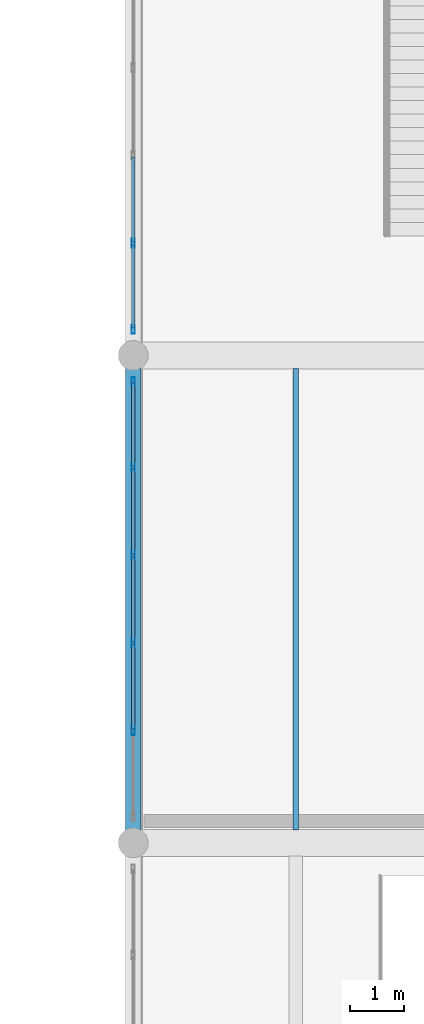
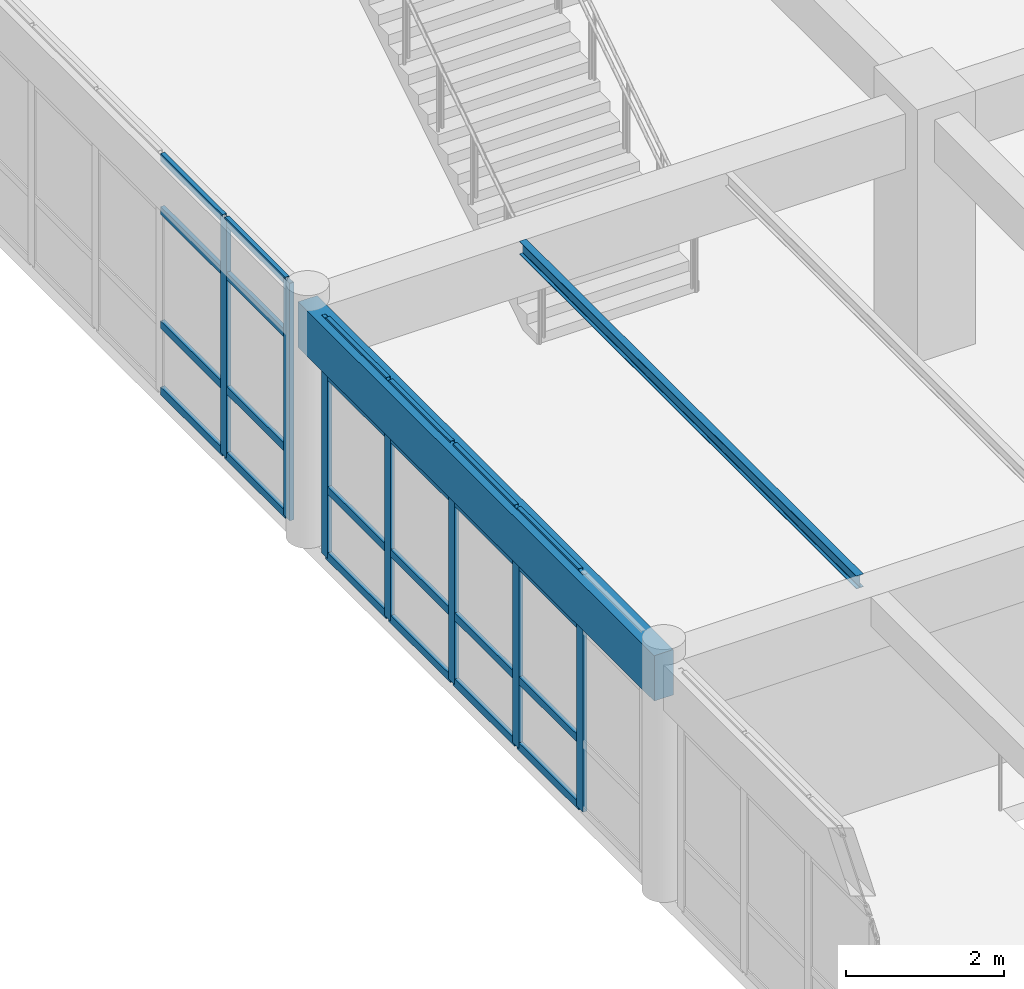
# One storey, part 39 of 156: 31 members, 2 beams, 2 elements without a shape of their own.
"""IFC4 building model written with IfcOpenShell, lengths in metres."""

from ifc_helpers import new_model, si_unit, direction, frame, origin, origin_2d, place, context, subcontext, project, spatial, rectangle, hollow_rectangle, i_section, extrude, material, layer, layer_set, material_profile, profile_set, type_object, element, aggregate, save


model = new_model("IFC4")

# Units and contexts
model_context = context("Model", 3, precision=1e-05, world=origin(), true_north=direction((0.0, 1.0)))
body_context = subcontext(model_context, "Body", "Model", "MODEL_VIEW")
ifc_project = project(units=[si_unit("LENGTHUNIT", "METRE"), si_unit("AREAUNIT", "SQUARE_METRE"), si_unit("VOLUMEUNIT", "CUBIC_METRE"), si_unit("PLANEANGLEUNIT", "RADIAN"), si_unit("MASSUNIT", "GRAM", prefix="KILO")], contexts=[model_context])

# Site, building, storey
site_placement = place(None, origin())
site = spatial("IfcSite", under=ifc_project, at=site_placement, CompositionType="ELEMENT")
building_placement = place(site_placement, origin())
building = spatial("IfcBuilding", under=site, at=building_placement, Name="Ornek Quay Market", CompositionType="ELEMENT")
storey_placement = place(building_placement, frame((0.0, 0.0, 4.5)))
storey = spatial("IfcBuildingStorey", under=building, at=storey_placement, Name="L01", CompositionType="ELEMENT", Elevation=4.5)

# Beams
ifc_material_1 = material(Name="Concrete C35/45", Category="concrete")
ifc_material_profile_1 = material_profile(ifc_material_1, rectangle(XDim=0.280029296875, YDim=0.699951171875, at=origin_2d()), Name="RC 280x700", Category="concrete")
ifc_profile_set_1 = profile_set([ifc_material_profile_1], Name="Concrete C35/45")
beam_type_1 = type_object("IfcBeamType", Name="BM-SPN-280x700", PredefinedType="SPANDREL", material=ifc_profile_set_1)
beam_1_placement = place(storey_placement, frame((108.0, 56.0, 3.31005859375), z_axis=(0.0, 1.0, 0.0), x_axis=(-1.0, 0.0, 0.0)))
element("IfcBeam", 1, at=beam_1_placement, inside=storey, type_object=beam_type_1, Name="Primary beam B-SP2-076", PredefinedType="SPANDREL", context=body_context, shape_type="SweptSolid", body=[
    extrude(rectangle(XDim=0.280029296875, YDim=0.699951171875, at=origin_2d()), origin(), (0.0, 0.0, 1.0), 9.0),
])
ifc_material_2 = material(Name="Steel S355", Category="steel")
ifc_material_profile_2 = material_profile(ifc_material_2, i_section(OverallWidth=0.10009765625, OverallDepth=0.199951171875, WebThickness=0.005615234375, FlangeThickness=0.008544921875, FilletRadius=0.011962890625, at=origin_2d()), Name="IPE 200", Category="steel")
ifc_profile_set_2 = profile_set([ifc_material_profile_2], Name="Steel S355")
beam_type_2 = type_object("IfcBeamType", Name="BM-STL-IPE200", PredefinedType="JOIST", material=ifc_profile_set_2)
beam_2_placement = place(storey_placement, frame((111.0, 56.241943359375, 3.56005859375), z_axis=(0.0, 1.0, 0.0), x_axis=(-1.0, 0.0, 0.0)))
element("IfcBeam", 2, at=beam_2_placement, inside=storey, type_object=beam_type_2, Name="Secondary joist SB-02-029", PredefinedType="JOIST", context=body_context, shape_type="SweptSolid", body=[
    extrude(i_section(OverallWidth=0.10009765625, OverallDepth=0.199951171875, WebThickness=0.005615234375, FlangeThickness=0.008544921875, FilletRadius=0.011962890625, at=origin_2d()), origin(), (0.0, 0.0, 1.0), 8.51611328125),
])

# Curtain wall, members
ifc_material_3 = material(Name="Anodised bronze aluminium and triple low-e glass", Category="aluminium")
ifc_layer = layer(ifc_material_3, 0.139892578125, Name="Anodised bronze aluminium and triple low-e glass", Category="aluminium")
ifc_layer_set = layer_set([ifc_layer], Name="Anodised bronze aluminium and triple low-e glass")
curtain_wall_type = type_object("IfcCurtainWallType", Name="CW-GALLERY-INT", PredefinedType="USERDEFINED", material=ifc_layer_set)
curtain_wall_1_placement = place(storey_placement, origin())
curtain_wall_1 = element("IfcCurtainWall", 3, at=curtain_wall_1_placement, inside=storey, type_object=curtain_wall_type, Name="Curtain wall CW-106", ObjectType="CURTAIN WALL", PredefinedType="USERDEFINED")
ifc_material_4 = material(Name="Anodised aluminium 6063-T6", Category="aluminium")
ifc_material_profile_3 = material_profile(ifc_material_4, hollow_rectangle(XDim=0.06005859375, YDim=0.159912109375, WallThickness=0.00390625, at=origin_2d()), Name="CW-MUL-60x160", Category="aluminium")
ifc_profile_set_3 = profile_set([ifc_material_profile_3], Name="Anodised aluminium 6063-T6")
member_type_1 = type_object("IfcMemberType", Name="CW-MUL-60x160", PredefinedType="MULLION", material=ifc_profile_set_3)
member_1_placement = place(storey_placement, frame((108.0, 58.070068359375, 0.0), z_axis=(0.0, 0.0, 1.0), x_axis=(-1.0, 0.0, 0.0)))
member_1 = element("IfcMember", 4, at=member_1_placement, type_object=member_type_1, Name="CW-106 mullion 2", PredefinedType="MULLION", context=body_context, shape_type="SweptSolid", body=[
    extrude(hollow_rectangle(XDim=0.06005859375, YDim=0.159912109375, WallThickness=0.00390625, at=origin_2d()), origin(), (0.0, 0.0, 1.0), 3.659912109375),
])
member_2_placement = place(storey_placement, frame((108.0, 59.68994140625, 0.0), z_axis=(0.0, 0.0, 1.0), x_axis=(-1.0, 0.0, 0.0)))
member_2 = element("IfcMember", 5, at=member_2_placement, type_object=member_type_1, Name="CW-106 mullion 3", PredefinedType="MULLION", context=body_context, shape_type="SweptSolid", body=[
    extrude(hollow_rectangle(XDim=0.06005859375, YDim=0.159912109375, WallThickness=0.00390625, at=origin_2d()), origin(), (0.0, 0.0, 1.0), 3.659912109375),
])
member_3_placement = place(storey_placement, frame((108.0, 61.31005859375, 0.0), z_axis=(0.0, 0.0, 1.0), x_axis=(-1.0, 0.0, 0.0)))
member_3 = element("IfcMember", 6, at=member_3_placement, type_object=member_type_1, Name="CW-106 mullion 4", PredefinedType="MULLION", context=body_context, shape_type="SweptSolid", body=[
    extrude(hollow_rectangle(XDim=0.06005859375, YDim=0.159912109375, WallThickness=0.00390625, at=origin_2d()), origin(), (0.0, 0.0, 1.0), 3.659912109375),
])
member_4_placement = place(storey_placement, frame((108.0, 62.929931640625, 0.0), z_axis=(0.0, 0.0, 1.0), x_axis=(-1.0, 0.0, 0.0)))
member_4 = element("IfcMember", 7, at=member_4_placement, type_object=member_type_1, Name="CW-106 mullion 5", PredefinedType="MULLION", context=body_context, shape_type="SweptSolid", body=[
    extrude(hollow_rectangle(XDim=0.06005859375, YDim=0.159912109375, WallThickness=0.00390625, at=origin_2d()), origin(), (0.0, 0.0, 1.0), 3.659912109375),
])
member_5_placement = place(storey_placement, frame((108.0, 64.52001953125, 0.0), z_axis=(0.0, 0.0, 1.0), x_axis=(-1.0, 0.0, 0.0)))
member_5 = element("IfcMember", 8, at=member_5_placement, type_object=member_type_1, Name="CW-106 mullion 6", PredefinedType="MULLION", context=body_context, shape_type="SweptSolid", body=[
    extrude(hollow_rectangle(XDim=0.06005859375, YDim=0.159912109375, WallThickness=0.00390625, at=origin_2d()), origin(), (0.0, 0.0, 1.0), 3.659912109375),
])

curtain_wall_2_placement = place(storey_placement, origin())
curtain_wall_2 = element("IfcCurtainWall", 9, at=curtain_wall_2_placement, inside=storey, type_object=curtain_wall_type, Name="Curtain wall CW-107", ObjectType="CURTAIN WALL", PredefinedType="USERDEFINED")
member_6_placement = place(storey_placement, frame((108.0, 65.47998046875, 0.0), z_axis=(0.0, 0.0, 1.0), x_axis=(-1.0, 0.0, 0.0)))
member_6 = element("IfcMember", 10, at=member_6_placement, type_object=member_type_1, Name="CW-107 mullion 1", PredefinedType="MULLION", context=body_context, shape_type="SweptSolid", body=[
    extrude(hollow_rectangle(XDim=0.06005859375, YDim=0.159912109375, WallThickness=0.00390625, at=origin_2d()), origin(), (0.0, 0.0, 1.0), 3.659912109375),
])
member_7_placement = place(storey_placement, frame((108.0, 67.070068359375, 0.0), z_axis=(0.0, 0.0, 1.0), x_axis=(-1.0, 0.0, 0.0)))
member_7 = element("IfcMember", 11, at=member_7_placement, type_object=member_type_1, Name="CW-107 mullion 2", PredefinedType="MULLION", context=body_context, shape_type="SweptSolid", body=[
    extrude(hollow_rectangle(XDim=0.06005859375, YDim=0.159912109375, WallThickness=0.00390625, at=origin_2d()), origin(), (0.0, 0.0, 1.0), 3.659912109375),
])

# Member
ifc_material_profile_4 = material_profile(ifc_material_4, hollow_rectangle(XDim=0.06005859375, YDim=0.1201171875, WallThickness=0.00390625, at=origin_2d()), Name="CW-TRN-60x120", Category="aluminium")
ifc_profile_set_4 = profile_set([ifc_material_profile_4], Name="Anodised aluminium 6063-T6")
member_type_2 = type_object("IfcMemberType", Name="CW-TRN-60x120", PredefinedType="USERDEFINED", material=ifc_profile_set_4)
member_8_placement = place(storey_placement, frame((108.0, 58.10009765625, 0.030029296875), z_axis=(0.0, 1.0, 0.0), x_axis=(-1.0, 0.0, 0.0)))
member_8 = element("IfcMember", 12, at=member_8_placement, type_object=member_type_2, Name="CW-106 transom 2.1", ObjectType="TRANSOM", PredefinedType="USERDEFINED", context=body_context, shape_type="SweptSolid", body=[
    extrude(hollow_rectangle(XDim=0.06005859375, YDim=0.1201171875, WallThickness=0.00390625, at=origin_2d()), origin(), (0.0, 0.0, 1.0), 1.559814453125),
])

member_9_placement = place(storey_placement, frame((108.0, 58.10009765625, 1.050048828125), z_axis=(0.0, 1.0, 0.0), x_axis=(-1.0, 0.0, 0.0)))
member_9 = element("IfcMember", 13, at=member_9_placement, type_object=member_type_2, Name="CW-106 transom 2.2", ObjectType="TRANSOM", PredefinedType="USERDEFINED", context=body_context, shape_type="SweptSolid", body=[
    extrude(hollow_rectangle(XDim=0.06005859375, YDim=0.1201171875, WallThickness=0.00390625, at=origin_2d()), origin(), (0.0, 0.0, 1.0), 1.559814453125),
])

member_10_placement = place(storey_placement, frame((108.0, 58.10009765625, 2.81005859375), z_axis=(0.0, 1.0, 0.0), x_axis=(-1.0, 0.0, 0.0)))
member_10 = element("IfcMember", 14, at=member_10_placement, type_object=member_type_2, Name="CW-106 transom 2.3", ObjectType="TRANSOM", PredefinedType="USERDEFINED", context=body_context, shape_type="SweptSolid", body=[
    extrude(hollow_rectangle(XDim=0.06005859375, YDim=0.1201171875, WallThickness=0.00390625, at=origin_2d()), origin(), (0.0, 0.0, 1.0), 1.559814453125),
])

member_11_placement = place(storey_placement, frame((108.0, 58.10009765625, 3.6298828125), z_axis=(0.0, 1.0, 0.0), x_axis=(-1.0, 0.0, 0.0)))
member_11 = element("IfcMember", 15, at=member_11_placement, type_object=member_type_2, Name="CW-106 transom 2.4", ObjectType="TRANSOM", PredefinedType="USERDEFINED", context=body_context, shape_type="SweptSolid", body=[
    extrude(hollow_rectangle(XDim=0.06005859375, YDim=0.1201171875, WallThickness=0.00390625, at=origin_2d()), origin(), (0.0, 0.0, 1.0), 1.559814453125),
])

member_12_placement = place(storey_placement, frame((108.0, 59.719970703125, 0.030029296875), z_axis=(0.0, 1.0, 0.0), x_axis=(-1.0, 0.0, 0.0)))
member_12 = element("IfcMember", 16, at=member_12_placement, type_object=member_type_2, Name="CW-106 transom 3.1", ObjectType="TRANSOM", PredefinedType="USERDEFINED", context=body_context, shape_type="SweptSolid", body=[
    extrude(hollow_rectangle(XDim=0.06005859375, YDim=0.1201171875, WallThickness=0.00390625, at=origin_2d()), origin(), (0.0, 0.0, 1.0), 1.56005859375),
])

member_13_placement = place(storey_placement, frame((108.0, 59.719970703125, 1.050048828125), z_axis=(0.0, 1.0, 0.0), x_axis=(-1.0, 0.0, 0.0)))
member_13 = element("IfcMember", 17, at=member_13_placement, type_object=member_type_2, Name="CW-106 transom 3.2", ObjectType="TRANSOM", PredefinedType="USERDEFINED", context=body_context, shape_type="SweptSolid", body=[
    extrude(hollow_rectangle(XDim=0.06005859375, YDim=0.1201171875, WallThickness=0.00390625, at=origin_2d()), origin(), (0.0, 0.0, 1.0), 1.56005859375),
])

member_14_placement = place(storey_placement, frame((108.0, 59.719970703125, 2.81005859375), z_axis=(0.0, 1.0, 0.0), x_axis=(-1.0, 0.0, 0.0)))
member_14 = element("IfcMember", 18, at=member_14_placement, type_object=member_type_2, Name="CW-106 transom 3.3", ObjectType="TRANSOM", PredefinedType="USERDEFINED", context=body_context, shape_type="SweptSolid", body=[
    extrude(hollow_rectangle(XDim=0.06005859375, YDim=0.1201171875, WallThickness=0.00390625, at=origin_2d()), origin(), (0.0, 0.0, 1.0), 1.56005859375),
])

member_15_placement = place(storey_placement, frame((108.0, 59.719970703125, 3.6298828125), z_axis=(0.0, 1.0, 0.0), x_axis=(-1.0, 0.0, 0.0)))
member_15 = element("IfcMember", 19, at=member_15_placement, type_object=member_type_2, Name="CW-106 transom 3.4", ObjectType="TRANSOM", PredefinedType="USERDEFINED", context=body_context, shape_type="SweptSolid", body=[
    extrude(hollow_rectangle(XDim=0.06005859375, YDim=0.1201171875, WallThickness=0.00390625, at=origin_2d()), origin(), (0.0, 0.0, 1.0), 1.56005859375),
])

member_16_placement = place(storey_placement, frame((108.0, 61.340087890625, 0.030029296875), z_axis=(0.0, 1.0, 0.0), x_axis=(-1.0, 0.0, 0.0)))
member_16 = element("IfcMember", 20, at=member_16_placement, type_object=member_type_2, Name="CW-106 transom 4.1", ObjectType="TRANSOM", PredefinedType="USERDEFINED", context=body_context, shape_type="SweptSolid", body=[
    extrude(hollow_rectangle(XDim=0.06005859375, YDim=0.1201171875, WallThickness=0.00390625, at=origin_2d()), origin(), (0.0, 0.0, 1.0), 1.559814453125),
])

member_17_placement = place(storey_placement, frame((108.0, 61.340087890625, 1.050048828125), z_axis=(0.0, 1.0, 0.0), x_axis=(-1.0, 0.0, 0.0)))
member_17 = element("IfcMember", 21, at=member_17_placement, type_object=member_type_2, Name="CW-106 transom 4.2", ObjectType="TRANSOM", PredefinedType="USERDEFINED", context=body_context, shape_type="SweptSolid", body=[
    extrude(hollow_rectangle(XDim=0.06005859375, YDim=0.1201171875, WallThickness=0.00390625, at=origin_2d()), origin(), (0.0, 0.0, 1.0), 1.559814453125),
])

member_18_placement = place(storey_placement, frame((108.0, 61.340087890625, 2.81005859375), z_axis=(0.0, 1.0, 0.0), x_axis=(-1.0, 0.0, 0.0)))
member_18 = element("IfcMember", 22, at=member_18_placement, type_object=member_type_2, Name="CW-106 transom 4.3", ObjectType="TRANSOM", PredefinedType="USERDEFINED", context=body_context, shape_type="SweptSolid", body=[
    extrude(hollow_rectangle(XDim=0.06005859375, YDim=0.1201171875, WallThickness=0.00390625, at=origin_2d()), origin(), (0.0, 0.0, 1.0), 1.559814453125),
])

member_19_placement = place(storey_placement, frame((108.0, 61.340087890625, 3.6298828125), z_axis=(0.0, 1.0, 0.0), x_axis=(-1.0, 0.0, 0.0)))
member_19 = element("IfcMember", 23, at=member_19_placement, type_object=member_type_2, Name="CW-106 transom 4.4", ObjectType="TRANSOM", PredefinedType="USERDEFINED", context=body_context, shape_type="SweptSolid", body=[
    extrude(hollow_rectangle(XDim=0.06005859375, YDim=0.1201171875, WallThickness=0.00390625, at=origin_2d()), origin(), (0.0, 0.0, 1.0), 1.559814453125),
])

member_20_placement = place(storey_placement, frame((108.0, 62.9599609375, 0.030029296875), z_axis=(0.0, 1.0, 0.0), x_axis=(-1.0, 0.0, 0.0)))
member_20 = element("IfcMember", 24, at=member_20_placement, type_object=member_type_2, Name="CW-106 transom 5.1", ObjectType="TRANSOM", PredefinedType="USERDEFINED", context=body_context, shape_type="SweptSolid", body=[
    extrude(hollow_rectangle(XDim=0.06005859375, YDim=0.1201171875, WallThickness=0.00390625, at=origin_2d()), origin(), (0.0, 0.0, 1.0), 1.530029296875),
])

member_21_placement = place(storey_placement, frame((108.0, 62.9599609375, 1.050048828125), z_axis=(0.0, 1.0, 0.0), x_axis=(-1.0, 0.0, 0.0)))
member_21 = element("IfcMember", 25, at=member_21_placement, type_object=member_type_2, Name="CW-106 transom 5.2", ObjectType="TRANSOM", PredefinedType="USERDEFINED", context=body_context, shape_type="SweptSolid", body=[
    extrude(hollow_rectangle(XDim=0.06005859375, YDim=0.1201171875, WallThickness=0.00390625, at=origin_2d()), origin(), (0.0, 0.0, 1.0), 1.530029296875),
])

member_22_placement = place(storey_placement, frame((108.0, 62.9599609375, 2.81005859375), z_axis=(0.0, 1.0, 0.0), x_axis=(-1.0, 0.0, 0.0)))
member_22 = element("IfcMember", 26, at=member_22_placement, type_object=member_type_2, Name="CW-106 transom 5.3", ObjectType="TRANSOM", PredefinedType="USERDEFINED", context=body_context, shape_type="SweptSolid", body=[
    extrude(hollow_rectangle(XDim=0.06005859375, YDim=0.1201171875, WallThickness=0.00390625, at=origin_2d()), origin(), (0.0, 0.0, 1.0), 1.530029296875),
])

member_23_placement = place(storey_placement, frame((108.0, 62.9599609375, 3.6298828125), z_axis=(0.0, 1.0, 0.0), x_axis=(-1.0, 0.0, 0.0)))
member_23 = element("IfcMember", 27, at=member_23_placement, type_object=member_type_2, Name="CW-106 transom 5.4", ObjectType="TRANSOM", PredefinedType="USERDEFINED", context=body_context, shape_type="SweptSolid", body=[
    extrude(hollow_rectangle(XDim=0.06005859375, YDim=0.1201171875, WallThickness=0.00390625, at=origin_2d()), origin(), (0.0, 0.0, 1.0), 1.530029296875),
])

aggregate(curtain_wall_1, [member_1, member_2, member_3, member_4, member_5, member_8, member_9, member_10, member_11, member_12, member_13, member_14, member_15, member_16, member_17, member_18, member_19, member_20, member_21, member_22, member_23])

member_24_placement = place(storey_placement, frame((108.0, 65.510009765625, 0.030029296875), z_axis=(0.0, 1.0, 0.0), x_axis=(-1.0, 0.0, 0.0)))
member_24 = element("IfcMember", 28, at=member_24_placement, type_object=member_type_2, Name="CW-107 transom 1.1", ObjectType="TRANSOM", PredefinedType="USERDEFINED", context=body_context, shape_type="SweptSolid", body=[
    extrude(hollow_rectangle(XDim=0.06005859375, YDim=0.1201171875, WallThickness=0.00390625, at=origin_2d()), origin(), (0.0, 0.0, 1.0), 1.530029296875),
])

member_25_placement = place(storey_placement, frame((108.0, 65.510009765625, 1.050048828125), z_axis=(0.0, 1.0, 0.0), x_axis=(-1.0, 0.0, 0.0)))
member_25 = element("IfcMember", 29, at=member_25_placement, type_object=member_type_2, Name="CW-107 transom 1.2", ObjectType="TRANSOM", PredefinedType="USERDEFINED", context=body_context, shape_type="SweptSolid", body=[
    extrude(hollow_rectangle(XDim=0.06005859375, YDim=0.1201171875, WallThickness=0.00390625, at=origin_2d()), origin(), (0.0, 0.0, 1.0), 1.530029296875),
])

member_26_placement = place(storey_placement, frame((108.0, 65.510009765625, 2.81005859375), z_axis=(0.0, 1.0, 0.0), x_axis=(-1.0, 0.0, 0.0)))
member_26 = element("IfcMember", 30, at=member_26_placement, type_object=member_type_2, Name="CW-107 transom 1.3", ObjectType="TRANSOM", PredefinedType="USERDEFINED", context=body_context, shape_type="SweptSolid", body=[
    extrude(hollow_rectangle(XDim=0.06005859375, YDim=0.1201171875, WallThickness=0.00390625, at=origin_2d()), origin(), (0.0, 0.0, 1.0), 1.530029296875),
])

member_27_placement = place(storey_placement, frame((108.0, 65.510009765625, 3.6298828125), z_axis=(0.0, 1.0, 0.0), x_axis=(-1.0, 0.0, 0.0)))
member_27 = element("IfcMember", 31, at=member_27_placement, type_object=member_type_2, Name="CW-107 transom 1.4", ObjectType="TRANSOM", PredefinedType="USERDEFINED", context=body_context, shape_type="SweptSolid", body=[
    extrude(hollow_rectangle(XDim=0.06005859375, YDim=0.1201171875, WallThickness=0.00390625, at=origin_2d()), origin(), (0.0, 0.0, 1.0), 1.530029296875),
])

member_28_placement = place(storey_placement, frame((108.0, 67.10009765625, 0.030029296875), z_axis=(0.0, 1.0, 0.0), x_axis=(-1.0, 0.0, 0.0)))
member_28 = element("IfcMember", 32, at=member_28_placement, type_object=member_type_2, Name="CW-107 transom 2.1", ObjectType="TRANSOM", PredefinedType="USERDEFINED", context=body_context, shape_type="SweptSolid", body=[
    extrude(hollow_rectangle(XDim=0.06005859375, YDim=0.1201171875, WallThickness=0.00390625, at=origin_2d()), origin(), (0.0, 0.0, 1.0), 1.559814453125),
])

member_29_placement = place(storey_placement, frame((108.0, 67.10009765625, 1.050048828125), z_axis=(0.0, 1.0, 0.0), x_axis=(-1.0, 0.0, 0.0)))
member_29 = element("IfcMember", 33, at=member_29_placement, type_object=member_type_2, Name="CW-107 transom 2.2", ObjectType="TRANSOM", PredefinedType="USERDEFINED", context=body_context, shape_type="SweptSolid", body=[
    extrude(hollow_rectangle(XDim=0.06005859375, YDim=0.1201171875, WallThickness=0.00390625, at=origin_2d()), origin(), (0.0, 0.0, 1.0), 1.559814453125),
])

member_30_placement = place(storey_placement, frame((108.0, 67.10009765625, 2.81005859375), z_axis=(0.0, 1.0, 0.0), x_axis=(-1.0, 0.0, 0.0)))
member_30 = element("IfcMember", 34, at=member_30_placement, type_object=member_type_2, Name="CW-107 transom 2.3", ObjectType="TRANSOM", PredefinedType="USERDEFINED", context=body_context, shape_type="SweptSolid", body=[
    extrude(hollow_rectangle(XDim=0.06005859375, YDim=0.1201171875, WallThickness=0.00390625, at=origin_2d()), origin(), (0.0, 0.0, 1.0), 1.559814453125),
])

member_31_placement = place(storey_placement, frame((108.0, 67.10009765625, 3.6298828125), z_axis=(0.0, 1.0, 0.0), x_axis=(-1.0, 0.0, 0.0)))
member_31 = element("IfcMember", 35, at=member_31_placement, type_object=member_type_2, Name="CW-107 transom 2.4", ObjectType="TRANSOM", PredefinedType="USERDEFINED", context=body_context, shape_type="SweptSolid", body=[
    extrude(hollow_rectangle(XDim=0.06005859375, YDim=0.1201171875, WallThickness=0.00390625, at=origin_2d()), origin(), (0.0, 0.0, 1.0), 1.559814453125),
])

aggregate(curtain_wall_2, [member_6, member_7, member_24, member_25, member_26, member_27, member_28, member_29, member_30, member_31])

save(model, "model.ifc")
